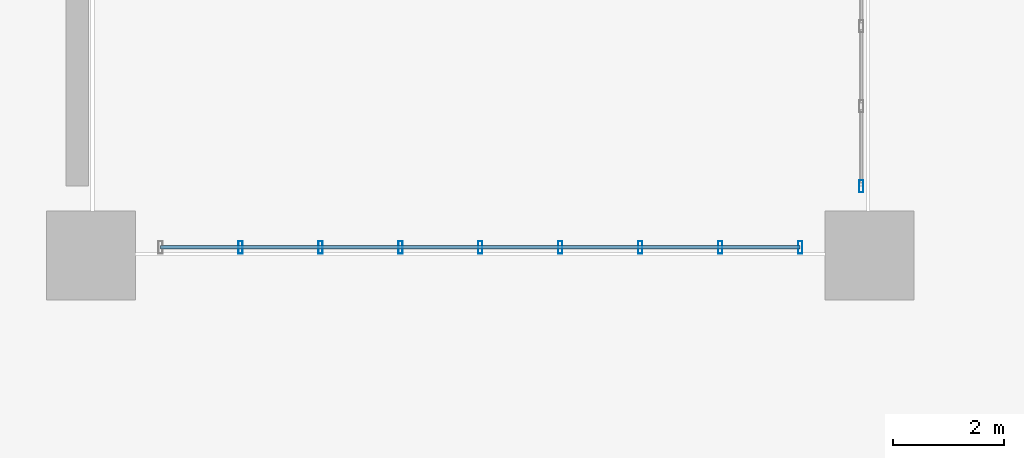
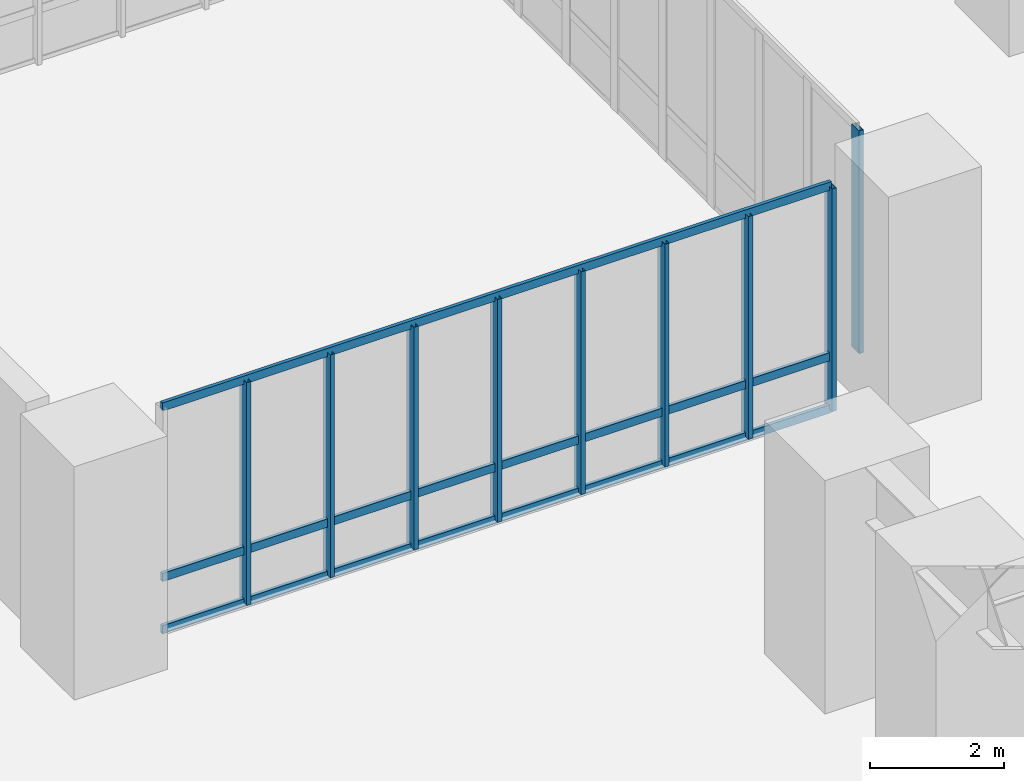
# One storey, part 9 of 18: 12 members, 2 elements without a shape of their own.
"""IFC4 building model written with IfcOpenShell, lengths in metres."""

import ifcopenshell
import ifcopenshell.guid

model = None  # the IFC model being written
_history = None  # IfcOwnerHistory: only IFC2X3 demands one
_inside = {}  # id of a spatial element -> (the spatial element, [elements in it])
_under = {}  # id of a project, library or spatial element -> (it, [spatial elements below it])
_declared = {}  # id of a project -> (the project, [libraries it declares])
_typed = {}  # id of a type object -> (the type object, [elements of that type])
_made_of = {}  # id of a material, layer set ... -> (it, [elements and type objects made of it])


def new_model(schema):
    """Start an empty IFC model of exactly this schema.

    Asked for "IFC4X3", IfcOpenShell would pick the latest addendum, in which some entities
    have other attributes; the version numbers below select the first issue.
    IFC2X3 requires an IfcOwnerHistory on every rooted entity: one is made here for all.
    """
    global model, _history
    if schema == "IFC4X3":
        model = ifcopenshell.file(schema_version=(4, 3, 0, 0))
    else:
        model = ifcopenshell.file(schema=schema)
    _inside.clear()
    _under.clear()
    _declared.clear()
    _typed.clear()
    _made_of.clear()
    _history = None
    if model.schema == "IFC2X3":
        org = make("IfcOrganization", Name="unknown")
        user = make(
            "IfcPersonAndOrganization",
            ThePerson=make("IfcPerson", FamilyName="unknown"),
            TheOrganization=org,
        )
        app = make(
            "IfcApplication",
            ApplicationDeveloper=org,
            Version="unknown",
            ApplicationFullName="unknown",
            ApplicationIdentifier="unknown",
        )
        _history = make(
            "IfcOwnerHistory",
            OwningUser=user,
            OwningApplication=app,
            ChangeAction="ADDED",
            CreationDate=0,
        )
    return model


def make(cls, **values):
    """One entity of the class cls with the attributes given. An attribute that is None is left unset."""
    return model.create_entity(
        cls, **{name: value for name, value in values.items() if value is not None}
    )


def rooted(cls, **values):
    """An entity with a GlobalId (a new one), such as an element, a storey or a relation."""
    return make(cls, GlobalId=ifcopenshell.guid.new(), OwnerHistory=_history, **values)


def si_unit(unit_type, name, prefix=None):
    """IfcSIUnit, for example si_unit("LENGTHUNIT", "METRE", prefix="MILLI")."""
    return make("IfcSIUnit", UnitType=unit_type, Prefix=prefix, Name=name)


def assignment(units):
    """IfcUnitAssignment: the units of a project."""
    return None if units is None else make("IfcUnitAssignment", Units=units)


def point(xyz):
    """IfcCartesianPoint."""
    return None if xyz is None else make("IfcCartesianPoint", Coordinates=xyz)


def direction(xyz):
    """IfcDirection."""
    return None if xyz is None else make("IfcDirection", DirectionRatios=xyz)


def frame(location, z_axis=None, x_axis=None):
    """IfcAxis2Placement3D, a coordinate frame: its origin and axes. An axis left out is left unset."""
    return make(
        "IfcAxis2Placement3D",
        Location=point(location),
        Axis=direction(z_axis),
        RefDirection=direction(x_axis),
    )


def frame_2d(location, x_axis=None):
    """IfcAxis2Placement2D, a coordinate frame in the plane: its origin and x axis."""
    return make(
        "IfcAxis2Placement2D", Location=point(location), RefDirection=direction(x_axis)
    )


def origin():
    """The frame at (0, 0, 0) with its axes left unset."""
    return frame((0.0, 0.0, 0.0))


def origin_2d():
    """The frame at (0, 0) in the plane with its x axis left unset."""
    return frame_2d((0.0, 0.0))


def place(relative_to, where):
    """IfcLocalPlacement: puts the frame where relative to a parent placement (None: the world)."""
    return make(
        "IfcLocalPlacement", PlacementRelTo=relative_to, RelativePlacement=where
    )


def context(
    kind, dimensions, precision=None, world=None, true_north=None, identifier=None
):
    """IfcGeometricRepresentationContext, for example the 3D "Model" context."""
    return make(
        "IfcGeometricRepresentationContext",
        ContextIdentifier=identifier,
        ContextType=kind,
        CoordinateSpaceDimension=dimensions,
        Precision=precision,
        WorldCoordinateSystem=world,
        TrueNorth=true_north,
    )


def subcontext(parent, identifier, kind, view, scale=None):
    """IfcGeometricRepresentationSubContext, for example "Body" below "Model"."""
    return make(
        "IfcGeometricRepresentationSubContext",
        ContextIdentifier=identifier,
        ContextType=kind,
        ParentContext=parent,
        TargetScale=scale,
        TargetView=view,
    )


def project(units=None, contexts=None):
    """IfcProject with its units and contexts."""
    return rooted(
        "IfcProject",
        Name="project",
        RepresentationContexts=contexts,
        UnitsInContext=assignment(units),
    )


def spatial(cls, under=None, at=None, **own):
    """A site, building, storey or space (cls), placed at a placement, below another one or the project."""
    s = rooted(cls, ObjectPlacement=at, **own)
    if under is not None:
        _under.setdefault(under.id(), (under, []))[1].append(s)
    return s


def profile(cls, at=None, kind="AREA", **sizes):
    """A parametric profile (cls). Its sizes go by their IFC names, for example OverallWidth=200.0."""
    return make(cls, ProfileType=kind, Position=at, **sizes)


def hollow_rectangle(**sizes):
    """IfcRectangleHollowProfileDef."""
    return profile("IfcRectangleHollowProfileDef", **sizes)


def extrude(swept, where, along, depth):
    """IfcExtrudedAreaSolid: the profile swept, set in the frame where, extruded along a direction by depth."""
    return make(
        "IfcExtrudedAreaSolid",
        SweptArea=swept,
        Position=where,
        ExtrudedDirection=direction(along),
        Depth=depth,
    )


def shape(context_of_items, identifier, shape_type, items):
    """IfcShapeRepresentation: the items that make up one representation, for example the "Body"."""
    return make(
        "IfcShapeRepresentation",
        ContextOfItems=context_of_items,
        RepresentationIdentifier=identifier,
        RepresentationType=shape_type,
        Items=items,
    )


def source(mapping_origin, context_of_items, identifier, shape_type, items):
    """IfcRepresentationMap: a shape defined once, which mapped items show again and again."""
    return make(
        "IfcRepresentationMap",
        MappingOrigin=mapping_origin,
        MappedRepresentation=shape(context_of_items, identifier, shape_type, items),
    )


def transform(
    local_origin,
    x_axis=None,
    y_axis=None,
    z_axis=None,
    scale=None,
    scale2=None,
    scale3=None,
    uniform=True,
):
    """IfcCartesianTransformationOperator3D, or its non-uniform kind. x_axis, y_axis, z_axis: its Axis1, 2, 3."""
    if uniform:
        return make(
            "IfcCartesianTransformationOperator3D",
            Axis1=direction(x_axis),
            Axis2=direction(y_axis),
            LocalOrigin=point(local_origin),
            Scale=scale,
            Axis3=direction(z_axis),
        )
    return make(
        "IfcCartesianTransformationOperator3DnonUniform",
        Axis1=direction(x_axis),
        Axis2=direction(y_axis),
        LocalOrigin=point(local_origin),
        Scale=scale,
        Axis3=direction(z_axis),
        Scale2=scale2,
        Scale3=scale3,
    )


def mapped(mapping_source, mapping_target):
    """IfcMappedItem: shows the shape of a source again, moved by a transform."""
    return make(
        "IfcMappedItem", MappingSource=mapping_source, MappingTarget=mapping_target
    )


def material(Name=None, Category=None):
    """IfcMaterial."""
    return make("IfcMaterial", Name=Name, Category=Category)


def layer(
    of_material, thickness, ventilated=None, Name=None, Category=None, Priority=None
):
    """IfcMaterialLayer: one layer of a wall or slab, of a material (None: an air gap)."""
    return make(
        "IfcMaterialLayer",
        Material=of_material,
        LayerThickness=thickness,
        IsVentilated=ventilated,
        Name=Name,
        Category=Category,
        Priority=Priority,
    )


def layer_set(layers, Name=None):
    """IfcMaterialLayerSet."""
    return make("IfcMaterialLayerSet", MaterialLayers=layers, LayerSetName=Name)


def material_profile(
    of_material, cross_section, Name=None, Category=None, Priority=None
):
    """IfcMaterialProfile: a cross section and its material."""
    return make(
        "IfcMaterialProfile",
        Name=Name,
        Material=of_material,
        Profile=cross_section,
        Priority=Priority,
        Category=Category,
    )


def profile_set(profiles, Name=None, composite=None):
    """IfcMaterialProfileSet."""
    return make(
        "IfcMaterialProfileSet",
        Name=Name,
        MaterialProfiles=profiles,
        CompositeProfile=composite,
    )


def made_of(thing, what):
    """Note that an element or type object is made of a material, layer set ...; save() writes the relation."""
    if what is not None:
        _made_of.setdefault(what.id(), (what, []))[1].append(thing)
    return thing


def type_object(cls, material=None, **own):
    """A type object (cls), such as IfcWallType, which elements share."""
    return made_of(rooted(cls, **own), material)


def element(
    cls,
    number,
    at=None,
    inside=None,
    cuts=None,
    type_object=None,
    material=None,
    context=None,
    identifier="Body",
    shape_type=None,
    held_by="IfcProductDefinitionShape",
    body=None,
    shapes=None,
    **own,
):
    """One element of the class cls, such as IfcWall. Its Tag is "e" and its number.

    at: its placement. inside: the storey or other place that contains it. cuts: it is an
    opening in that element (IfcRelVoidsElement). A single representation is given by context,
    identifier, shape_type and body (its items); several are given by shapes. held_by: the class
    of the entity that holds the representations. save() writes the other relations.
    """
    e = rooted(cls, Tag="e%d" % number, ObjectPlacement=at, **own)
    if body is not None:
        shapes = [shape(context, identifier, shape_type, body)]
    if shapes is not None:
        e.Representation = make(held_by, Representations=shapes)
    if inside is not None:
        _inside.setdefault(inside.id(), (inside, []))[1].append(e)
    if cuts is not None:
        rooted(
            "IfcRelVoidsElement", RelatingBuildingElement=cuts, RelatedOpeningElement=e
        )
    if type_object is not None:
        _typed.setdefault(type_object.id(), (type_object, []))[1].append(e)
    return made_of(e, material)


def aggregate(whole, parts):
    """IfcRelAggregates: a whole, such as a stair, and the parts it consists of."""
    return rooted("IfcRelAggregates", RelatingObject=whole, RelatedObjects=parts)


def save(model, path):
    """Write the relations noted so far, then the file.

    IfcRelAggregates (storeys below a building ...), IfcRelContainedInSpatialStructure (elements
    in a storey), IfcRelDefinesByType, IfcRelAssociatesMaterial and IfcRelDeclares: one each for
    every whole, place, type object, material and project.
    """
    for whole, parts in _under.values():
        aggregate(whole, parts)
    for where, things in _inside.values():
        rooted(
            "IfcRelContainedInSpatialStructure",
            RelatedElements=things,
            RelatingStructure=where,
        )
    for kind, things in _typed.values():
        rooted("IfcRelDefinesByType", RelatedObjects=things, RelatingType=kind)
    for what, things in _made_of.values():
        rooted("IfcRelAssociatesMaterial", RelatedObjects=things, RelatingMaterial=what)
    for by, libraries in _declared.values():
        rooted("IfcRelDeclares", RelatingContext=by, RelatedDefinitions=libraries)
    model.write(path)


model = new_model("IFC4")

# Units and contexts
model_context = context("Model", 3, precision=1e-05, world=origin(), true_north=direction((0.0, 1.0)))
body_context = subcontext(model_context, "Body", "Model", "MODEL_VIEW")
ifc_project = project(units=[si_unit("LENGTHUNIT", "METRE"), si_unit("AREAUNIT", "SQUARE_METRE"), si_unit("VOLUMEUNIT", "CUBIC_METRE"), si_unit("PLANEANGLEUNIT", "RADIAN"), si_unit("MASSUNIT", "GRAM", prefix="KILO")], contexts=[model_context])

# Site, building, storey
site_placement = place(None, origin())
site = spatial("IfcSite", under=ifc_project, at=site_placement, CompositionType="ELEMENT")
building_placement = place(site_placement, origin())
building = spatial("IfcBuilding", under=site, at=building_placement, Name="Kharzan Plaza Tower", CompositionType="ELEMENT")
storey_placement = place(building_placement, frame((0.0, 0.0, -4.5)))
storey = spatial("IfcBuildingStorey", under=building, at=storey_placement, Name="B01", CompositionType="ELEMENT", Elevation=-4.5)

# Curtain wall, member
ifc_material_1 = material(Name="Unitised Bronze-Anodized Aluminium and Low-E Glass", Category="aluminium")
ifc_layer = layer(ifc_material_1, 0.199951171875)
ifc_layer_set = layer_set([ifc_layer], Name="Unitised Bronze-Anodized Aluminium and Low-E Glass")
curtain_wall_type = type_object("IfcCurtainWallType", Name="CW-PLAZA-2", PredefinedType="NOTDEFINED", material=ifc_layer_set)
curtain_wall_1_placement = place(storey_placement, origin())
curtain_wall_1 = element("IfcCurtainWall", 1, at=curtain_wall_1_placement, inside=storey, type_object=curtain_wall_type, Name="B01 Oculus Courtyard Ring Curtain Wall E", PredefinedType="NOTDEFINED")
ifc_material_2 = material(Name="Anodized Bronze Aluminium", Category="aluminium")
ifc_material_profile_1 = material_profile(ifc_material_2, hollow_rectangle(XDim=0.074951171875, YDim=0.219970703125, WallThickness=0.00390625, at=origin_2d()), Name="ALU-M220x75x4")
ifc_profile_set_1 = profile_set([ifc_material_profile_1], Name="Anodized Bronze Aluminium")
member_type_1 = type_object("IfcMemberType", Name="MEM-CW-MUL200", PredefinedType="MULLION", material=ifc_profile_set_1)
shared_shape_1 = source(origin(), body_context, "Body", "SweptSolid", [
    extrude(hollow_rectangle(XDim=0.074951171875, YDim=0.219970703125, WallThickness=0.00390625, at=origin_2d()), origin(), (0.0, 0.0, 1.0), 4.050048828125),
])
member_1_placement = place(storey_placement, frame((51.85009765625, 32.25, 0.0), z_axis=(0.0, 0.0, 1.0), x_axis=(1.0, 0.0, 0.0)))
member_1 = element("IfcMember", 2, at=member_1_placement, type_object=member_type_1, Name="B01 Curtain-Wall Mullion 00", PredefinedType="MULLION", context=body_context, shape_type="MappedRepresentation", body=[
    mapped(shared_shape_1, transform((0.0, 0.0, 0.0), x_axis=(1.0, 0.0, 0.0), y_axis=(0.0, 1.0, 0.0), z_axis=(0.0, 0.0, 1.0))),
])
aggregate(curtain_wall_1, [member_1])

# Curtain wall, members
curtain_wall_2_placement = place(storey_placement, origin())
curtain_wall_2 = element("IfcCurtainWall", 3, at=curtain_wall_2_placement, inside=storey, type_object=curtain_wall_type, Name="B01 Oculus Courtyard Ring Curtain Wall S", PredefinedType="NOTDEFINED")
member_2_placement = place(storey_placement, frame((40.6875, 31.14990234375, 0.0), z_axis=(0.0, 0.0, 1.0), x_axis=(1.0, 0.0, 0.0)))
member_2 = element("IfcMember", 4, at=member_2_placement, type_object=member_type_1, Name="B01 Curtain-Wall Mullion 01", PredefinedType="MULLION", context=body_context, shape_type="MappedRepresentation", body=[
    mapped(shared_shape_1, transform((0.0, 0.0, 0.0), x_axis=(1.0, 0.0, 0.0), y_axis=(0.0, 1.0, 0.0), z_axis=(0.0, 0.0, 1.0))),
])
member_3_placement = place(storey_placement, frame((42.125, 31.14990234375, 0.0), z_axis=(0.0, 0.0, 1.0), x_axis=(1.0, 0.0, 0.0)))
member_3 = element("IfcMember", 5, at=member_3_placement, type_object=member_type_1, Name="B01 Curtain-Wall Mullion 02", PredefinedType="MULLION", context=body_context, shape_type="MappedRepresentation", body=[
    mapped(shared_shape_1, transform((0.0, 0.0, 0.0), x_axis=(1.0, 0.0, 0.0), y_axis=(0.0, 1.0, 0.0), z_axis=(0.0, 0.0, 1.0))),
])
member_4_placement = place(storey_placement, frame((43.5625, 31.14990234375, 0.0), z_axis=(0.0, 0.0, 1.0), x_axis=(1.0, 0.0, 0.0)))
member_4 = element("IfcMember", 6, at=member_4_placement, type_object=member_type_1, Name="B01 Curtain-Wall Mullion 03", PredefinedType="MULLION", context=body_context, shape_type="MappedRepresentation", body=[
    mapped(shared_shape_1, transform((0.0, 0.0, 0.0), x_axis=(1.0, 0.0, 0.0), y_axis=(0.0, 1.0, 0.0), z_axis=(0.0, 0.0, 1.0))),
])
member_5_placement = place(storey_placement, frame((45.0, 31.14990234375, 0.0), z_axis=(0.0, 0.0, 1.0), x_axis=(1.0, 0.0, 0.0)))
member_5 = element("IfcMember", 7, at=member_5_placement, type_object=member_type_1, Name="B01 Curtain-Wall Mullion 04", PredefinedType="MULLION", context=body_context, shape_type="MappedRepresentation", body=[
    mapped(shared_shape_1, transform((0.0, 0.0, 0.0), x_axis=(1.0, 0.0, 0.0), y_axis=(0.0, 1.0, 0.0), z_axis=(0.0, 0.0, 1.0))),
])
member_6_placement = place(storey_placement, frame((46.4375, 31.14990234375, 0.0), z_axis=(0.0, 0.0, 1.0), x_axis=(1.0, 0.0, 0.0)))
member_6 = element("IfcMember", 8, at=member_6_placement, type_object=member_type_1, Name="B01 Curtain-Wall Mullion 05", PredefinedType="MULLION", context=body_context, shape_type="MappedRepresentation", body=[
    mapped(shared_shape_1, transform((0.0, 0.0, 0.0), x_axis=(1.0, 0.0, 0.0), y_axis=(0.0, 1.0, 0.0), z_axis=(0.0, 0.0, 1.0))),
])
member_7_placement = place(storey_placement, frame((47.875, 31.14990234375, 0.0), z_axis=(0.0, 0.0, 1.0), x_axis=(1.0, 0.0, 0.0)))
member_7 = element("IfcMember", 9, at=member_7_placement, type_object=member_type_1, Name="B01 Curtain-Wall Mullion 06", PredefinedType="MULLION", context=body_context, shape_type="MappedRepresentation", body=[
    mapped(shared_shape_1, transform((0.0, 0.0, 0.0), x_axis=(1.0, 0.0, 0.0), y_axis=(0.0, 1.0, 0.0), z_axis=(0.0, 0.0, 1.0))),
])
member_8_placement = place(storey_placement, frame((49.3125, 31.14990234375, 0.0), z_axis=(0.0, 0.0, 1.0), x_axis=(1.0, 0.0, 0.0)))
member_8 = element("IfcMember", 10, at=member_8_placement, type_object=member_type_1, Name="B01 Curtain-Wall Mullion 07", PredefinedType="MULLION", context=body_context, shape_type="MappedRepresentation", body=[
    mapped(shared_shape_1, transform((0.0, 0.0, 0.0), x_axis=(1.0, 0.0, 0.0), y_axis=(0.0, 1.0, 0.0), z_axis=(0.0, 0.0, 1.0))),
])
member_9_placement = place(storey_placement, frame((50.75, 31.14990234375, 0.0), z_axis=(0.0, 0.0, 1.0), x_axis=(1.0, 0.0, 0.0)))
member_9 = element("IfcMember", 11, at=member_9_placement, type_object=member_type_1, Name="B01 Curtain-Wall Mullion 08", PredefinedType="MULLION", context=body_context, shape_type="MappedRepresentation", body=[
    mapped(shared_shape_1, transform((0.0, 0.0, 0.0), x_axis=(1.0, 0.0, 0.0), y_axis=(0.0, 1.0, 0.0), z_axis=(0.0, 0.0, 1.0))),
])
ifc_material_profile_2 = material_profile(ifc_material_2, hollow_rectangle(XDim=0.06005859375, YDim=0.14990234375, WallThickness=0.00341796875, at=origin_2d()), Name="ALU-T150x60x3.5")
ifc_profile_set_2 = profile_set([ifc_material_profile_2], Name="Anodized Bronze Aluminium")
member_type_2 = type_object("IfcMemberType", Name="MEM-CW-TRN150", PredefinedType="USERDEFINED", material=ifc_profile_set_2)
shared_shape_2 = source(origin(), body_context, "Body", "SweptSolid", [
    extrude(hollow_rectangle(XDim=0.06005859375, YDim=0.14990234375, WallThickness=0.00341796875, at=origin_2d()), origin(), (0.0, 0.0, 1.0), 11.5),
])
member_10_placement = place(storey_placement, frame((39.25, 31.14990234375, 0.0), z_axis=(1.0, 0.0, 0.0), x_axis=(0.0, 1.0, 0.0)))
member_10 = element("IfcMember", 12, at=member_10_placement, type_object=member_type_2, Name="B01 Curtain-Wall Transom 1", ObjectType="TRANSOM", PredefinedType="USERDEFINED", context=body_context, shape_type="MappedRepresentation", body=[
    mapped(shared_shape_2, transform((0.0, 0.0, 0.0), x_axis=(1.0, 0.0, 0.0), y_axis=(0.0, 1.0, 0.0), z_axis=(0.0, 0.0, 1.0))),
])
member_11_placement = place(storey_placement, frame((39.25, 31.14990234375, 0.949951171875), z_axis=(1.0, 0.0, 0.0), x_axis=(0.0, 1.0, 0.0)))
member_11 = element("IfcMember", 13, at=member_11_placement, type_object=member_type_2, Name="B01 Curtain-Wall Transom 2", ObjectType="TRANSOM", PredefinedType="USERDEFINED", context=body_context, shape_type="MappedRepresentation", body=[
    mapped(shared_shape_2, transform((0.0, 0.0, 0.0), x_axis=(1.0, 0.0, 0.0), y_axis=(0.0, 1.0, 0.0), z_axis=(0.0, 0.0, 1.0))),
])
member_12_placement = place(storey_placement, frame((39.25, 31.14990234375, 4.050048828125), z_axis=(1.0, 0.0, 0.0), x_axis=(0.0, 1.0, 0.0)))
member_12 = element("IfcMember", 14, at=member_12_placement, type_object=member_type_2, Name="B01 Curtain-Wall Transom 3", ObjectType="TRANSOM", PredefinedType="USERDEFINED", context=body_context, shape_type="MappedRepresentation", body=[
    mapped(shared_shape_2, transform((0.0, 0.0, 0.0), x_axis=(1.0, 0.0, 0.0), y_axis=(0.0, 1.0, 0.0), z_axis=(0.0, 0.0, 1.0))),
])
aggregate(curtain_wall_2, [member_2, member_3, member_4, member_5, member_6, member_7, member_8, member_9, member_10, member_11, member_12])

save(model, "model.ifc")
